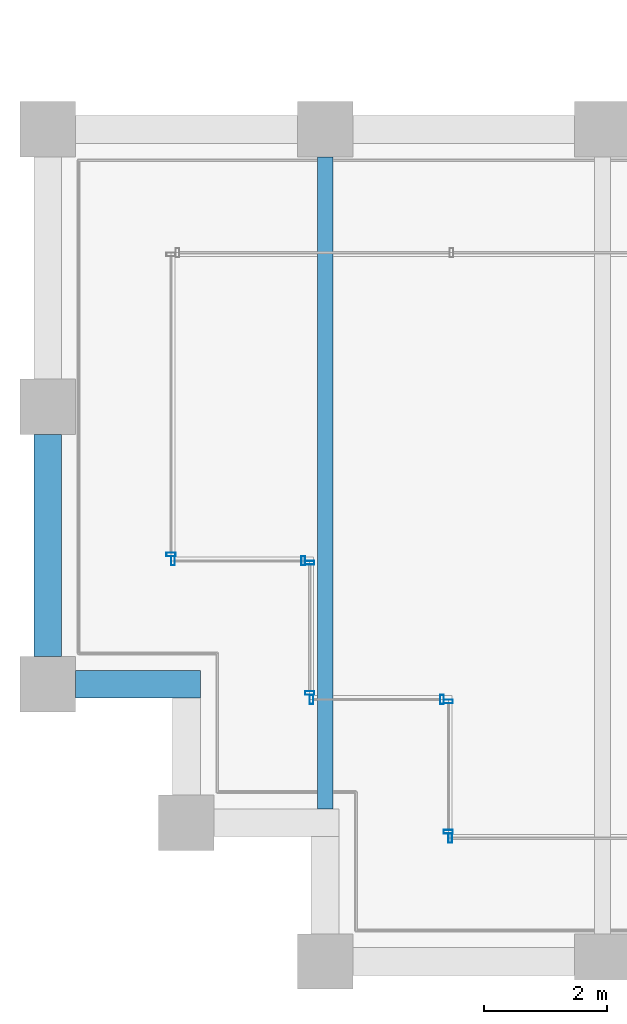
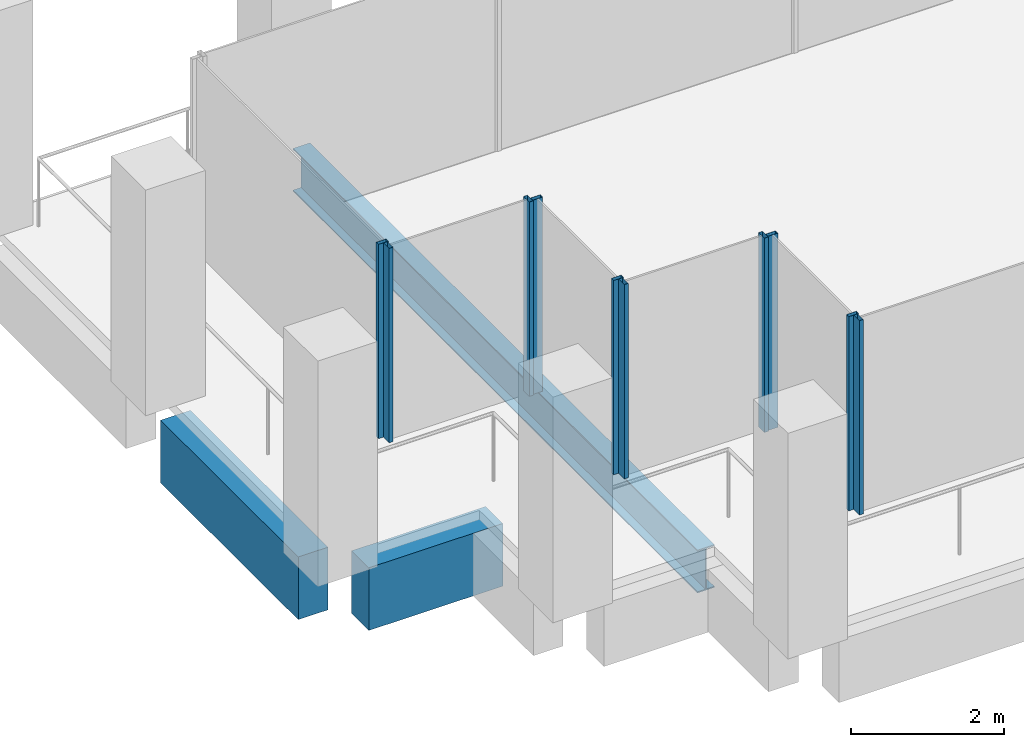
# One storey, part 2 of 40: 10 members, 3 beams, 6 elements without a shape of their own.
"""IFC4 building model written with IfcOpenShell, lengths in metres."""

from ifc_helpers import new_model, si_unit, direction, frame, origin, origin_2d, place, context, subcontext, project, spatial, rectangle, hollow_rectangle, i_section, extrude, material, material_profile, profile_set, type_object, element, aggregate, save


model = new_model("IFC4")

# Units and contexts
model_context = context("Model", 3, precision=1e-05, world=origin(), true_north=direction((0.0, 1.0)))
body_context = subcontext(model_context, "Body", "Model", "MODEL_VIEW")
ifc_project = project(units=[si_unit("LENGTHUNIT", "METRE"), si_unit("AREAUNIT", "SQUARE_METRE"), si_unit("VOLUMEUNIT", "CUBIC_METRE"), si_unit("PLANEANGLEUNIT", "RADIAN"), si_unit("MASSUNIT", "GRAM", prefix="KILO")], contexts=[model_context])

# Site, building, storey
site_placement = place(None, origin())
site = spatial("IfcSite", under=ifc_project, at=site_placement, CompositionType="ELEMENT")
building_placement = place(site_placement, origin())
building = spatial("IfcBuilding", under=site, at=building_placement, Name="Altepetl Exchange Towers", CompositionType="ELEMENT")
storey_placement = place(building_placement, frame((0.0, 0.0, 169.0)))
storey = spatial("IfcBuildingStorey", under=building, at=storey_placement, Name="L42", CompositionType="ELEMENT", Elevation=169.0)

# Beam
ifc_material_1 = material(Name="Steel S355", Category="steel")
ifc_material_profile_1 = material_profile(ifc_material_1, i_section(OverallWidth=0.25390625, OverallDepth=0.68408203125, WebThickness=0.012451171875, FlangeThickness=0.018798828125, at=origin_2d()), Name="W27X94")
ifc_profile_set_1 = profile_set([ifc_material_profile_1], Name="Steel S355")
beam_type_1 = type_object("IfcBeamType", Name="Floor beam W27X94", PredefinedType="BEAM", material=ifc_profile_set_1)
beam_1_placement = place(storey_placement, frame((31.5, 29.47509765625, -0.491943359375), z_axis=(0.0, 1.0, 0.0), x_axis=(-1.0, 0.0, 0.0)))
element("IfcBeam", 1, at=beam_1_placement, inside=storey, type_object=beam_type_1, Name="bm:A:L42:012", PredefinedType="BEAM", context=body_context, shape_type="SweptSolid", body=[
    extrude(i_section(OverallWidth=0.25390625, OverallDepth=0.68408203125, WebThickness=0.012451171875, FlangeThickness=0.018798828125, at=origin_2d()), origin(), (0.0, 0.0, 1.0), 10.574951171875),
])

# Curtain wall, member
ifc_material_2 = material(Name="Aluminium 6063-T6 glazing", Category="aluminium")
curtain_wall_type = type_object("IfcCurtainWallType", Name="Loggia glazing system", PredefinedType="NOTDEFINED", material=ifc_material_2)
curtain_wall_1_placement = place(storey_placement, origin())
curtain_wall_1 = element("IfcCurtainWall", 2, at=curtain_wall_1_placement, inside=storey, type_object=curtain_wall_type, Name="CW1 run", PredefinedType="NOTDEFINED")
ifc_material_3 = material(Name="Aluminium 6063-T6", Category="aluminium")
ifc_material_profile_2 = material_profile(ifc_material_3, hollow_rectangle(XDim=0.06005859375, YDim=0.14990234375, WallThickness=0.0029296875, at=origin_2d()), Name="Mullion 60x150 aluminium")
ifc_profile_set_2 = profile_set([ifc_material_profile_2], Name="Aluminium 6063-T6")
member_type = type_object("IfcMemberType", Name="Mullion 60x150 aluminium", PredefinedType="MULLION", material=ifc_profile_set_2)
member_1_placement = place(storey_placement, frame((29.0, 33.60498046875, 0.0), z_axis=(0.0, 0.0, 1.0), x_axis=(0.0, -1.0, 0.0)))
member_1 = element("IfcMember", 3, at=member_1_placement, type_object=member_type, Name="MU1 mullion", PredefinedType="MULLION", context=body_context, shape_type="SweptSolid", body=[
    extrude(hollow_rectangle(XDim=0.06005859375, YDim=0.14990234375, WallThickness=0.0029296875, at=origin_2d()), origin(), (0.0, 0.0, 1.0), 3.10009765625),
])
aggregate(curtain_wall_1, [member_1])

# Curtain wall, members
curtain_wall_2_placement = place(storey_placement, origin())
curtain_wall_2 = element("IfcCurtainWall", 4, at=curtain_wall_2_placement, inside=storey, type_object=curtain_wall_type, Name="CW1 run", PredefinedType="NOTDEFINED")
member_2_placement = place(storey_placement, frame((29.030029296875, 33.5, 0.0)))
member_2 = element("IfcMember", 5, at=member_2_placement, type_object=member_type, Name="MU1 mullion", PredefinedType="MULLION", context=body_context, shape_type="SweptSolid", body=[
    extrude(hollow_rectangle(XDim=0.06005859375, YDim=0.14990234375, WallThickness=0.0029296875, at=origin_2d()), origin(), (0.0, 0.0, 1.0), 3.10009765625),
])
member_3_placement = place(storey_placement, frame((31.14501953125, 33.5, 0.0)))
member_3 = element("IfcMember", 6, at=member_3_placement, type_object=member_type, Name="MU1 mullion", PredefinedType="MULLION", context=body_context, shape_type="SweptSolid", body=[
    extrude(hollow_rectangle(XDim=0.06005859375, YDim=0.14990234375, WallThickness=0.0029296875, at=origin_2d()), origin(), (0.0, 0.0, 1.0), 3.10009765625),
])
aggregate(curtain_wall_2, [member_2, member_3])

curtain_wall_3_placement = place(storey_placement, origin())
curtain_wall_3 = element("IfcCurtainWall", 7, at=curtain_wall_3_placement, inside=storey, type_object=curtain_wall_type, Name="CW1 run", PredefinedType="NOTDEFINED")
member_4_placement = place(storey_placement, frame((31.25, 33.469970703125, 0.0), z_axis=(0.0, 0.0, 1.0), x_axis=(0.0, -1.0, 0.0)))
member_4 = element("IfcMember", 8, at=member_4_placement, type_object=member_type, Name="MU1 mullion", PredefinedType="MULLION", context=body_context, shape_type="SweptSolid", body=[
    extrude(hollow_rectangle(XDim=0.06005859375, YDim=0.14990234375, WallThickness=0.0029296875, at=origin_2d()), origin(), (0.0, 0.0, 1.0), 3.10009765625),
])
member_5_placement = place(storey_placement, frame((31.25, 31.35498046875, 0.0), z_axis=(0.0, 0.0, 1.0), x_axis=(0.0, -1.0, 0.0)))
member_5 = element("IfcMember", 9, at=member_5_placement, type_object=member_type, Name="MU1 mullion", PredefinedType="MULLION", context=body_context, shape_type="SweptSolid", body=[
    extrude(hollow_rectangle(XDim=0.06005859375, YDim=0.14990234375, WallThickness=0.0029296875, at=origin_2d()), origin(), (0.0, 0.0, 1.0), 3.10009765625),
])
aggregate(curtain_wall_3, [member_4, member_5])

curtain_wall_4_placement = place(storey_placement, origin())
curtain_wall_4 = element("IfcCurtainWall", 10, at=curtain_wall_4_placement, inside=storey, type_object=curtain_wall_type, Name="CW1 run", PredefinedType="NOTDEFINED")
member_6_placement = place(storey_placement, frame((31.280029296875, 31.25, 0.0)))
member_6 = element("IfcMember", 11, at=member_6_placement, type_object=member_type, Name="MU1 mullion", PredefinedType="MULLION", context=body_context, shape_type="SweptSolid", body=[
    extrude(hollow_rectangle(XDim=0.06005859375, YDim=0.14990234375, WallThickness=0.0029296875, at=origin_2d()), origin(), (0.0, 0.0, 1.0), 3.10009765625),
])
member_7_placement = place(storey_placement, frame((33.39501953125, 31.25, 0.0)))
member_7 = element("IfcMember", 12, at=member_7_placement, type_object=member_type, Name="MU1 mullion", PredefinedType="MULLION", context=body_context, shape_type="SweptSolid", body=[
    extrude(hollow_rectangle(XDim=0.06005859375, YDim=0.14990234375, WallThickness=0.0029296875, at=origin_2d()), origin(), (0.0, 0.0, 1.0), 3.10009765625),
])
aggregate(curtain_wall_4, [member_6, member_7])

curtain_wall_5_placement = place(storey_placement, origin())
curtain_wall_5 = element("IfcCurtainWall", 13, at=curtain_wall_5_placement, inside=storey, type_object=curtain_wall_type, Name="CW1 run", PredefinedType="NOTDEFINED")
member_8_placement = place(storey_placement, frame((33.5, 31.219970703125, 0.0), z_axis=(0.0, 0.0, 1.0), x_axis=(0.0, -1.0, 0.0)))
member_8 = element("IfcMember", 14, at=member_8_placement, type_object=member_type, Name="MU1 mullion", PredefinedType="MULLION", context=body_context, shape_type="SweptSolid", body=[
    extrude(hollow_rectangle(XDim=0.06005859375, YDim=0.14990234375, WallThickness=0.0029296875, at=origin_2d()), origin(), (0.0, 0.0, 1.0), 3.10009765625),
])
member_9_placement = place(storey_placement, frame((33.5, 29.10498046875, 0.0), z_axis=(0.0, 0.0, 1.0), x_axis=(0.0, -1.0, 0.0)))
member_9 = element("IfcMember", 15, at=member_9_placement, type_object=member_type, Name="MU1 mullion", PredefinedType="MULLION", context=body_context, shape_type="SweptSolid", body=[
    extrude(hollow_rectangle(XDim=0.06005859375, YDim=0.14990234375, WallThickness=0.0029296875, at=origin_2d()), origin(), (0.0, 0.0, 1.0), 3.10009765625),
])
aggregate(curtain_wall_5, [member_8, member_9])

# Curtain wall, member
curtain_wall_6_placement = place(storey_placement, origin())
curtain_wall_6 = element("IfcCurtainWall", 16, at=curtain_wall_6_placement, inside=storey, type_object=curtain_wall_type, Name="CW1 run", PredefinedType="NOTDEFINED")
member_10_placement = place(storey_placement, frame((33.530029296875, 29.0, 0.0)))
member_10 = element("IfcMember", 17, at=member_10_placement, type_object=member_type, Name="MU1 mullion", PredefinedType="MULLION", context=body_context, shape_type="SweptSolid", body=[
    extrude(hollow_rectangle(XDim=0.06005859375, YDim=0.14990234375, WallThickness=0.0029296875, at=origin_2d()), origin(), (0.0, 0.0, 1.0), 3.10009765625),
])
aggregate(curtain_wall_6, [member_10])

# Beams
ifc_material_4 = material(Name="Concrete C50/60 precast with cantera blanca facing", Category="concrete")
ifc_material_profile_3 = material_profile(ifc_material_4, rectangle(XDim=0.449951171875, YDim=1.0, at=origin_2d()), Name="450 x 1000")
ifc_profile_set_3 = profile_set([ifc_material_profile_3], Name="Concrete C50/60 precast with cantera blanca facing")
beam_type_2 = type_object("IfcBeamType", Name="Spandrel beam 450x1000 cantera blanca", PredefinedType="SPANDREL", material=ifc_profile_set_3)
beam_2_placement = place(storey_placement, frame((27.0, 35.550048828125, -0.64990234375), z_axis=(0.0, -1.0, 0.0), x_axis=(1.0, 0.0, 0.0)))
element("IfcBeam", 18, at=beam_2_placement, inside=storey, type_object=beam_type_2, Name="sp:A:L42:037", PredefinedType="SPANDREL", context=body_context, shape_type="SweptSolid", body=[
    extrude(rectangle(XDim=0.449951171875, YDim=1.0, at=origin_2d()), origin(), (0.0, 0.0, 1.0), 3.60009765625),
])
beam_3_placement = place(storey_placement, frame((27.449951171875, 31.5, -0.64990234375), z_axis=(1.0, 0.0, 0.0), x_axis=(0.0, 1.0, 0.0)))
element("IfcBeam", 19, at=beam_3_placement, inside=storey, type_object=beam_type_2, Name="sp:A:L42:038", PredefinedType="SPANDREL", context=body_context, shape_type="SweptSolid", body=[
    extrude(rectangle(XDim=0.449951171875, YDim=1.0, at=origin_2d()), origin(), (0.0, 0.0, 1.0), 2.025146484375),
])

save(model, "model.ifc")
